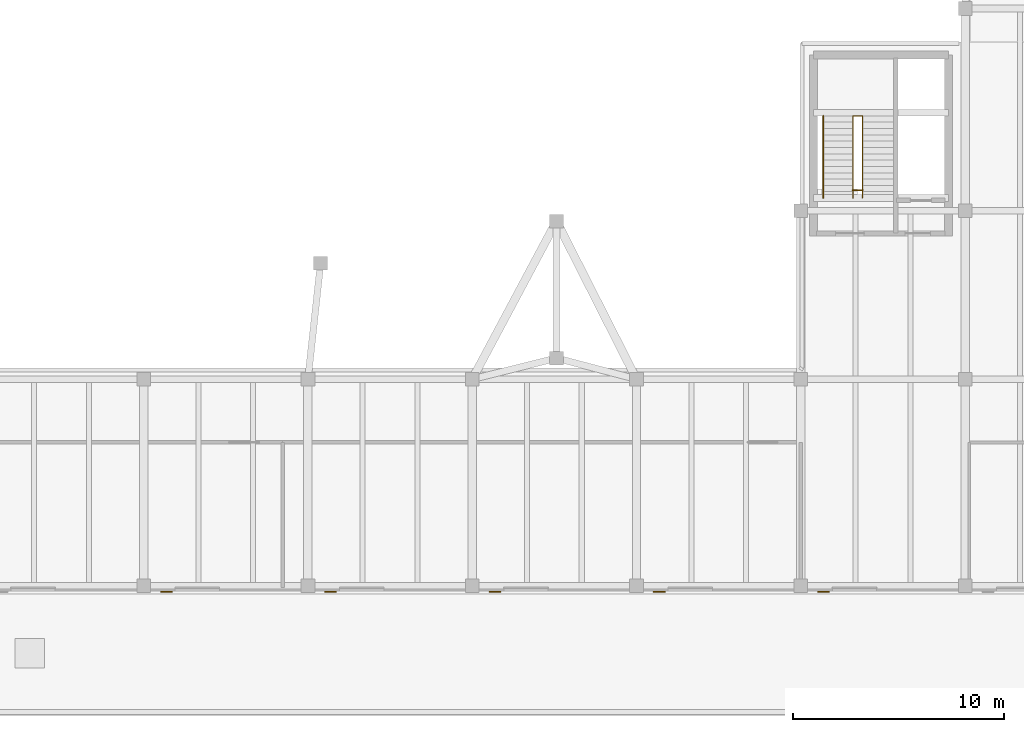
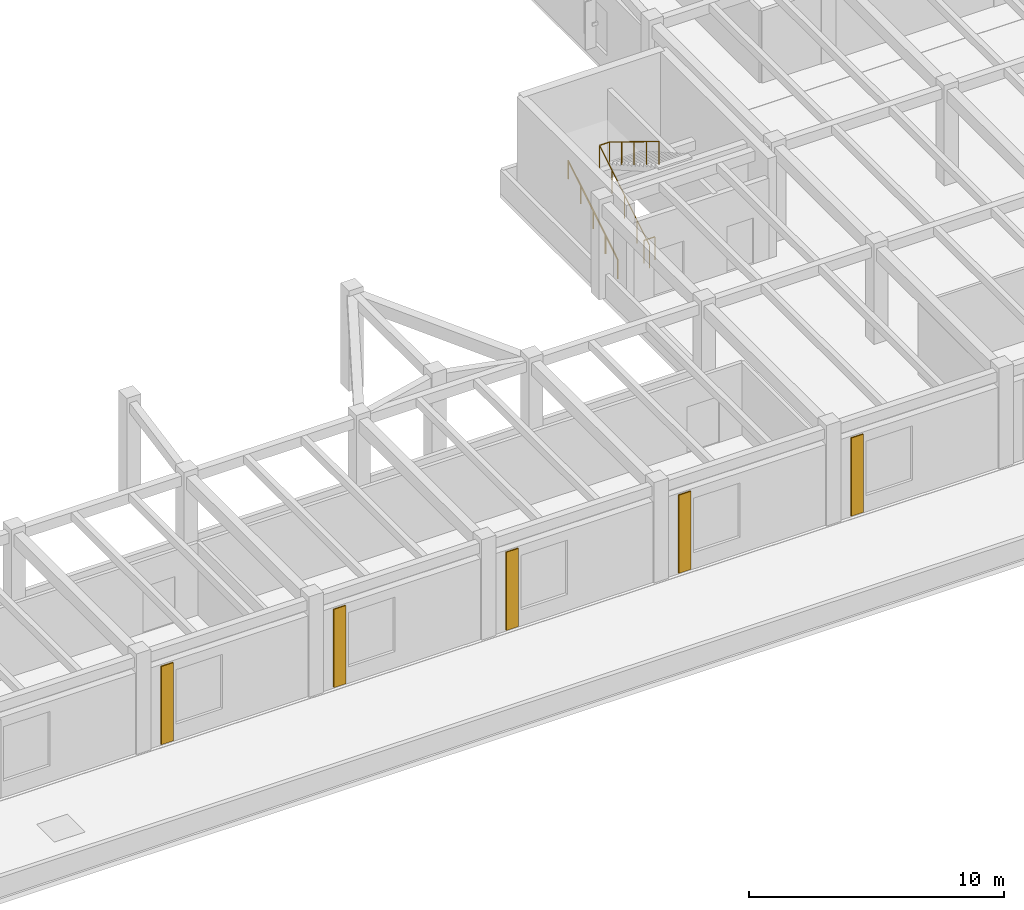
# One storey, part 101 of 105: 5 coverings, 3 railings.
"""IFC4 building model written with IfcOpenShell, lengths in metres."""

from ifc_helpers import new_model, si_unit, direction, frame, origin, origin_2d, place, context, subcontext, project, spatial, rectangle, circle, extrude, material, layer, layer_set, type_object, element, save


model = new_model("IFC4")

# Units and contexts
model_context = context("Model", 3, precision=1e-05, world=origin(), true_north=direction((0.0, 1.0)))
body_context = subcontext(model_context, "Body", "Model", "MODEL_VIEW")
ifc_project = project(units=[si_unit("LENGTHUNIT", "METRE"), si_unit("AREAUNIT", "SQUARE_METRE"), si_unit("VOLUMEUNIT", "CUBIC_METRE"), si_unit("PLANEANGLEUNIT", "RADIAN"), si_unit("MASSUNIT", "GRAM", prefix="KILO")], contexts=[model_context])

# Site, building, storey
site_placement = place(None, origin())
site = spatial("IfcSite", under=ifc_project, at=site_placement, CompositionType="ELEMENT")
building_placement = place(site_placement, origin())
building = spatial("IfcBuilding", under=site, at=building_placement, Name="Pelvatis Terrace Science Centre", CompositionType="ELEMENT")
storey_placement = place(building_placement, frame((0.0, 0.0, 10.199951171875)))
storey = spatial("IfcBuildingStorey", under=building, at=storey_placement, Name="L02", CompositionType="ELEMENT", Elevation=10.199951171875)

# Coverings
ifc_material_1 = material(Name="Fluted warm stone-aggregate precast facade relief panel", Category="masonry")
ifc_layer = layer(ifc_material_1, 0.054931640625)
ifc_layer_set = layer_set([ifc_layer], Name="Fluted warm stone-aggregate precast facade relief panel")
covering_type = type_object("IfcCoveringType", Name="COV-CLAD-PREC-55", PredefinedType="CLADDING", material=ifc_layer_set)
for number, where, z_axis, x_axis, name in (
    (1, (102.47998046875, 5.91259765625, 0.06005859375), (0.0, 0.0, 1.0), (1.0, 0.0, 0.0), "Classical fluted stone pilaster strip 35"),
    (2, (110.280029296875, 5.91259765625, 0.06005859375), (0.0, 0.0, 1.0), (1.0, 0.0, 0.0), "Classical fluted stone pilaster strip 36"),
    (3, (118.080078125, 5.91259765625, 0.06005859375), (0.0, 0.0, 1.0), (1.0, 0.0, 0.0), "Classical fluted stone pilaster strip 37"),
    (4, (125.8798828125, 5.91259765625, 0.06005859375), (0.0, 0.0, 1.0), (1.0, 0.0, 0.0), "Classical fluted stone pilaster strip 38"),
    (5, (133.679931640625, 5.91259765625, 0.06005859375), (0.0, 0.0, 1.0), (1.0, 0.0, 0.0), "Classical fluted stone pilaster strip 39"),
):
    element("IfcCovering", number, at=place(storey_placement, frame(where, z_axis=z_axis, x_axis=x_axis)), inside=storey, type_object=covering_type, Name=name, PredefinedType="CLADDING", context=body_context, shape_type="SweptSolid", body=[
        extrude(rectangle(XDim=0.550048828125, YDim=0.054931640625, at=origin_2d()), origin(), (0.0, 0.0, 1.0), 3.739990234375),
    ])

# Railings
ifc_material_2 = material(Name="Brushed architectural bronze tubular railing", Category="steel")
railing_type_1 = type_object("IfcRailingType", Name="RLG-GRD-1120", PredefinedType="GUARDRAIL", material=ifc_material_2)
railing_1_placement = place(storey_placement, frame((135.080078125, 24.60009765625, 0.0)))
element("IfcRailing", 6, at=railing_1_placement, inside=storey, type_object=railing_type_1, Name="Stair ST-04-L02 inner well guardrail", PredefinedType="GUARDRAIL", context=body_context, shape_type="SweptSolid", body=[
    extrude(circle(Radius=0.02392578125, at=origin_2d()), frame((0.0, 0.0, 1.09619140625), z_axis=(0.0, 0.851638180308, 0.5241301459), x_axis=(-1.0, 0.0, 0.0)), (0.0, 0.0, 1.0), 4.579345703125),
    extrude(circle(Radius=0.02392578125, at=origin_2d()), frame((0.0, 3.89990234375, 3.49609375), z_axis=(1.0, 0.0, 0.0), x_axis=(0.0, 1.0, 0.0)), (0.0, 0.0, 1.0), 0.43994140625),
    extrude(circle(Radius=0.02392578125, at=origin_2d()), frame((0.43994140625, 3.89990234375, 3.49609375), z_axis=(0.0, -0.851661977835, 0.524091476281), x_axis=(1.0, 0.0, 0.0)), (0.0, 0.0, 1.0), 4.5791015625),
    extrude(circle(Radius=0.02099609375, at=origin_2d()), origin(), (0.0, 0.0, 1.0), 1.072021484375),
    extrude(circle(Radius=0.02099609375, at=origin_2d()), frame((0.0, 0.97509765625, 0.60009765625)), (0.0, 0.0, 1.0), 1.072021484375),
    extrude(circle(Radius=0.02099609375, at=origin_2d()), frame((0.0, 1.949951171875, 1.2001953125)), (0.0, 0.0, 1.0), 1.072021484375),
    extrude(circle(Radius=0.02099609375, at=origin_2d()), frame((0.0, 2.9248046875, 1.800048828125)), (0.0, 0.0, 1.0), 1.072021484375),
    extrude(circle(Radius=0.02099609375, at=origin_2d()), frame((0.0, 3.89990234375, 2.400146484375)), (0.0, 0.0, 1.0), 1.072021484375),
    extrude(circle(Radius=0.02099609375, at=origin_2d()), frame((0.43994140625, 3.89990234375, 2.400146484375)), (0.0, 0.0, 1.0), 1.072021484375),
    extrude(circle(Radius=0.02099609375, at=origin_2d()), frame((0.43994140625, 2.9248046875, 3.0)), (0.0, 0.0, 1.0), 1.072021484375),
    extrude(circle(Radius=0.02099609375, at=origin_2d()), frame((0.43994140625, 1.949951171875, 3.60009765625)), (0.0, 0.0, 1.0), 1.072021484375),
    extrude(circle(Radius=0.02099609375, at=origin_2d()), frame((0.43994140625, 0.97509765625, 4.2001953125)), (0.0, 0.0, 1.0), 1.072021484375),
    extrude(circle(Radius=0.02099609375, at=origin_2d()), frame((0.43994140625, 0.0, 4.800048828125)), (0.0, 0.0, 1.0), 1.072021484375),
])
railing_2_placement = place(storey_placement, frame((135.050048828125, 24.97998046875, 0.0)))
element("IfcRailing", 7, at=railing_2_placement, inside=storey, type_object=railing_type_1, Name="Core C4 landing well slot guard (L02)", PredefinedType="GUARDRAIL", context=body_context, shape_type="SweptSolid", body=[
    extrude(circle(Radius=0.02392578125, at=origin_2d()), frame((0.0, 0.0, 1.09619140625), z_axis=(1.0, 0.0, 0.0), x_axis=(0.0, 1.0, 0.0)), (0.0, 0.0, 1.0), 0.5),
    extrude(circle(Radius=0.02099609375, at=origin_2d()), origin(), (0.0, 0.0, 1.0), 1.072021484375),
    extrude(circle(Radius=0.02099609375, at=origin_2d()), frame((0.5, 0.0, 0.0)), (0.0, 0.0, 1.0), 1.072021484375),
])
ifc_material_3 = material(Name="Brushed architectural bronze tubular railing", Category="steel")
railing_type_2 = type_object("IfcRailingType", Name="RLG-HND-0900", PredefinedType="HANDRAIL", material=ifc_material_3)
railing_3_placement = place(storey_placement, frame((133.659912109375, 24.60009765625, 0.0)))
element("IfcRailing", 8, at=railing_3_placement, inside=storey, type_object=railing_type_2, Name="Stair ST-04-L02 wall handrail", PredefinedType="HANDRAIL", context=body_context, shape_type="SweptSolid", body=[
    extrude(circle(Radius=0.02392578125, at=origin_2d()), frame((0.0, 0.0, 0.8759765625), z_axis=(0.0, 0.851638180308, 0.5241301459), x_axis=(-1.0, 0.0, 0.0)), (0.0, 0.0, 1.0), 4.579345703125),
    extrude(circle(Radius=0.02099609375, at=origin_2d()), origin(), (0.0, 0.0, 1.0), 0.851806640625),
    extrude(circle(Radius=0.02099609375, at=origin_2d()), frame((0.0, 0.97509765625, 0.60009765625)), (0.0, 0.0, 1.0), 0.851806640625),
    extrude(circle(Radius=0.02099609375, at=origin_2d()), frame((0.0, 1.949951171875, 1.2001953125)), (0.0, 0.0, 1.0), 0.851806640625),
    extrude(circle(Radius=0.02099609375, at=origin_2d()), frame((0.0, 2.9248046875, 1.800048828125)), (0.0, 0.0, 1.0), 0.851806640625),
    extrude(circle(Radius=0.02099609375, at=origin_2d()), frame((0.0, 3.89990234375, 2.400146484375)), (0.0, 0.0, 1.0), 0.851806640625),
])

save(model, "model.ifc")
